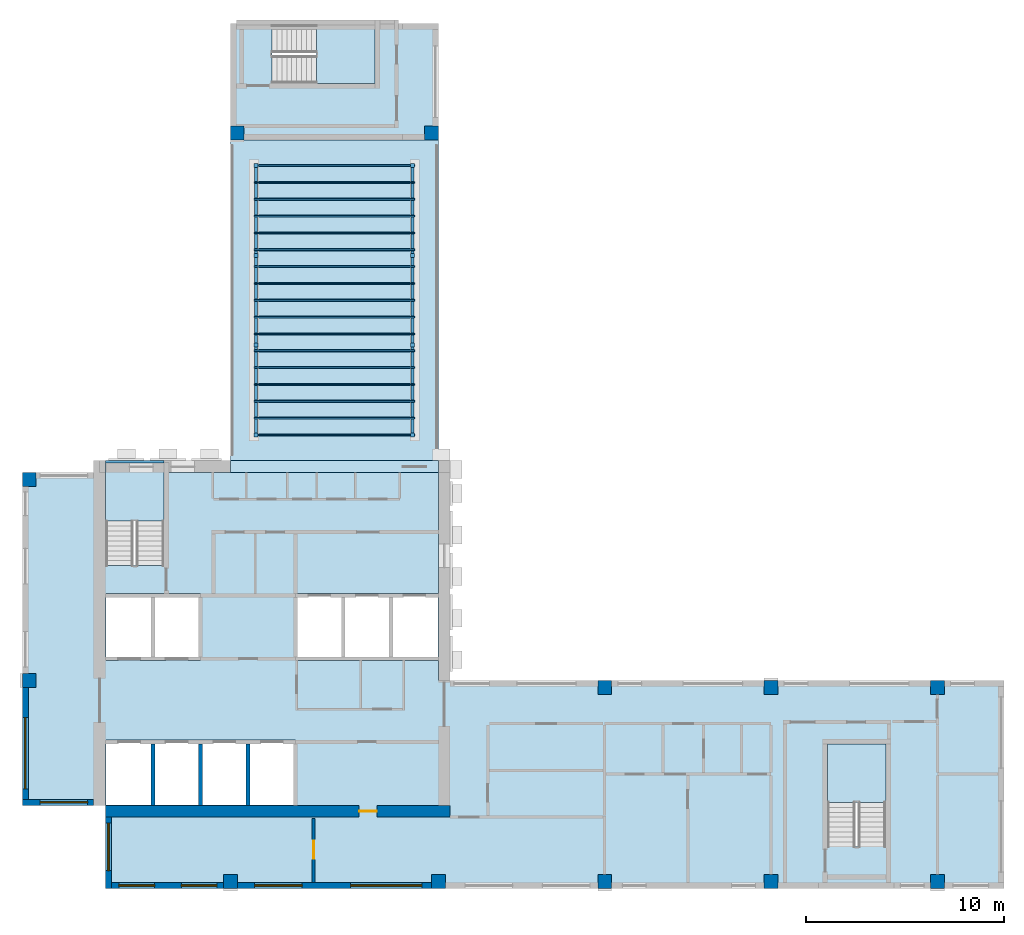
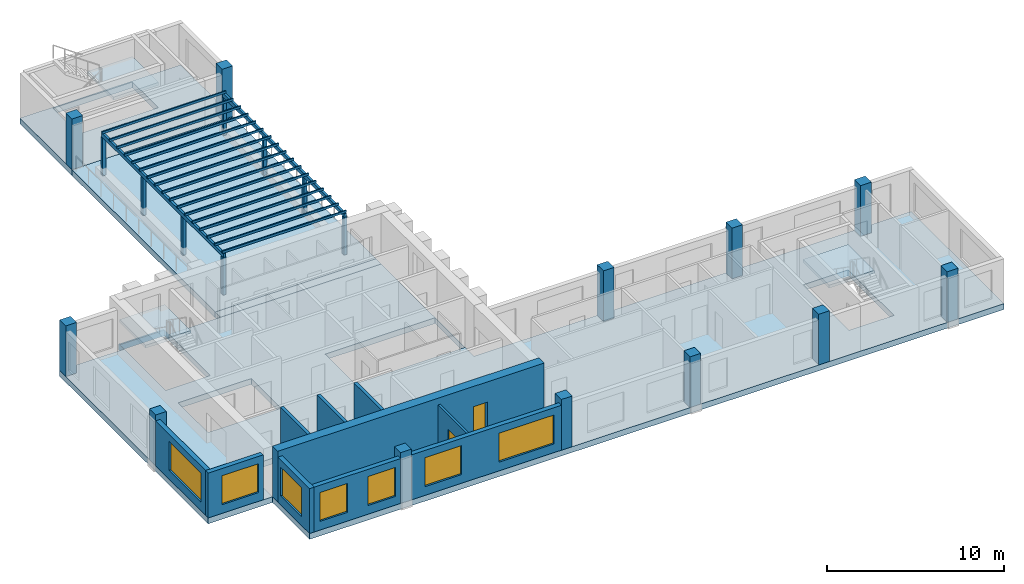
# One storey, part 1 of 9: 27 members, 12 columns, 10 walls, 8 slabs, 7 windows, 2 doors, 9 openings, 3 elements without a shape of their own.
"""IFC4 building model written with IfcOpenShell, lengths in metres."""

from ifc_helpers import new_model, si_unit, direction, frame, frame_2d, origin, origin_2d, place, context, subcontext, project, spatial, polyline, rectangle, outline, extrude, source, transform, mapped, material, layer, layer_set, material_profile, profile_set, type_object, element, fill, aggregate, save


model = new_model("IFC4")

# Units and contexts
model_context = context("Model", 3, precision=1e-05, world=origin(), true_north=direction((0.0, 1.0)))
body_context = subcontext(model_context, "Body", "Model", "MODEL_VIEW")
ifc_project = project(units=[si_unit("LENGTHUNIT", "METRE"), si_unit("AREAUNIT", "SQUARE_METRE"), si_unit("VOLUMEUNIT", "CUBIC_METRE"), si_unit("PLANEANGLEUNIT", "RADIAN"), si_unit("MASSUNIT", "GRAM", prefix="KILO")], contexts=[model_context])

# Site, building, storey
site_placement = place(None, origin())
site = spatial("IfcSite", under=ifc_project, at=site_placement, CompositionType="ELEMENT")
building_placement = place(site_placement, origin())
building = spatial("IfcBuilding", under=site, at=building_placement, Name="Aurelian Terraces", CompositionType="ELEMENT")
storey_placement = place(building_placement, frame((0.0, 0.0, 309.0)))
storey = spatial("IfcBuildingStorey", under=building, at=storey_placement, Name="L71", CompositionType="ELEMENT", Elevation=309.0)

# Columns
ifc_material_1 = material(Name="Concrete fc' 55 MPa", Category="concrete")
ifc_material_profile_1 = material_profile(ifc_material_1, rectangle(XDim=0.7, YDim=0.7, at=origin_2d()))
ifc_profile_set_1 = profile_set([ifc_material_profile_1], Name="Concrete fc' 55 MPa")
column_type = type_object("IfcColumnType", Name="RC COLUMN 700X700 FC55", PredefinedType="COLUMN", material=ifc_profile_set_1)
shared_shape_1 = source(origin(), body_context, "Body", "SweptSolid", [
    extrude(rectangle(XDim=0.7, YDim=0.7, at=origin_2d()), origin(), (0.0, 0.0, 1.0), 3.5),
])
for number, where, z_axis, x_axis, name in (
    (1, (10.5, 0.35, 0.0), (0.0, 0.0, 1.0), (1.0, 0.0, 0.0), "Column 2/A L71"),
    (2, (21.0, 0.35, 0.0), (0.0, 0.0, 1.0), (1.0, 0.0, 0.0), "Column 3/A L71"),
    (3, (29.4, 0.35, 0.0), (0.0, 0.0, 1.0), (1.0, 0.0, 0.0), "Column 4/A L71"),
    (4, (37.8, 0.35, 0.0), (0.0, 0.0, 1.0), (1.0, 0.0, 0.0), "Column 5/A L71"),
    (5, (46.2, 0.35, 0.0), (0.0, 0.0, 1.0), (1.0, 0.0, 0.0), "Column 6/A L71"),
    (6, (0.35, 10.5, 0.0), (0.0, 0.0, 1.0), (1.0, 0.0, 0.0), "Column 1/B L71"),
    (7, (29.4, 10.15, 0.0), (0.0, 0.0, 1.0), (1.0, 0.0, 0.0), "Column 4/B L71"),
    (8, (37.8, 10.15, 0.0), (0.0, 0.0, 1.0), (1.0, 0.0, 0.0), "Column 5/B L71"),
    (9, (46.2, 10.15, 0.0), (0.0, 0.0, 1.0), (1.0, 0.0, 0.0), "Column 6/B L71"),
    (10, (0.35, 20.65, 0.0), (0.0, 0.0, 1.0), (1.0, 0.0, 0.0), "Column 1/C L71"),
    (11, (10.85, 38.15, 0.0), (0.0, 0.0, 1.0), (1.0, 0.0, 0.0), "Column 2/E L71"),
    (12, (20.65, 38.15, 0.0), (0.0, 0.0, 1.0), (1.0, 0.0, 0.0), "Column 3/E L71"),
):
    element("IfcColumn", number, at=place(storey_placement, frame(where, z_axis=z_axis, x_axis=x_axis)), inside=storey, type_object=column_type, Name=name, PredefinedType="COLUMN", context=body_context, shape_type="MappedRepresentation", body=[
        mapped(shared_shape_1, transform((0.0, 0.0, 0.0), scale=1.0)),
    ])

# Members
ifc_material_2 = material(Name="Anodised aluminium", Category="aluminium")
ifc_material_profile_2 = material_profile(ifc_material_2, rectangle(XDim=0.2, YDim=0.2, at=origin_2d()))
ifc_profile_set_2 = profile_set([ifc_material_profile_2], Name="Anodised aluminium")
member_type_1 = type_object("IfcMemberType", Name="PERGOLA POST 200X200", PredefinedType="POST", material=ifc_profile_set_2)
shared_shape_2 = source(origin(), body_context, "Body", "SweptSolid", [
    extrude(rectangle(XDim=0.2, YDim=0.2, at=origin_2d()), origin(), (0.0, 0.0, 1.0), 2.6),
])
for number, where, z_axis, x_axis, name in (
    (13, (11.8, 22.9, 0.0), (0.0, 0.0, 1.0), (1.0, 0.0, 0.0), "Pergola post L71 BLADE-W-T1.1.1"),
    (14, (19.7, 22.9, 0.0), (0.0, 0.0, 1.0), (1.0, 0.0, 0.0), "Pergola post L71 BLADE-W-T1.1.2"),
    (15, (11.8, 27.4333, 0.0), (0.0, 0.0, 1.0), (1.0, 0.0, 0.0), "Pergola post L71 BLADE-W-T1.2.1"),
    (16, (19.7, 27.4333, 0.0), (0.0, 0.0, 1.0), (1.0, 0.0, 0.0), "Pergola post L71 BLADE-W-T1.2.2"),
    (17, (11.8, 31.9667, 0.0), (0.0, 0.0, 1.0), (1.0, 0.0, 0.0), "Pergola post L71 BLADE-W-T1.3.1"),
    (18, (19.7, 31.9667, 0.0), (0.0, 0.0, 1.0), (1.0, 0.0, 0.0), "Pergola post L71 BLADE-W-T1.3.2"),
    (19, (11.8, 36.5, 0.0), (0.0, 0.0, 1.0), (1.0, 0.0, 0.0), "Pergola post L71 BLADE-W-T1.4.1"),
    (20, (19.7, 36.5, 0.0), (0.0, 0.0, 1.0), (1.0, 0.0, 0.0), "Pergola post L71 BLADE-W-T1.4.2"),
):
    element("IfcMember", number, at=place(storey_placement, frame(where, z_axis=z_axis, x_axis=x_axis)), inside=storey, type_object=member_type_1, Name=name, PredefinedType="POST", context=body_context, shape_type="MappedRepresentation", body=[
        mapped(shared_shape_2, transform((0.0, 0.0, 0.0), scale=1.0)),
    ])
ifc_material_profile_3 = material_profile(ifc_material_2, rectangle(XDim=0.08, YDim=0.15, at=origin_2d()))
ifc_profile_set_3 = profile_set([ifc_material_profile_3], Name="Anodised aluminium")
member_type_2 = type_object("IfcMemberType", Name="PERGOLA RAFTER 80X150", PredefinedType="RAFTER", material=ifc_profile_set_3)
shared_shape_3 = source(origin(), body_context, "Body", "SweptSolid", [
    extrude(rectangle(XDim=0.08, YDim=0.15, at=origin_2d()), origin(), (0.0, 0.0, 1.0), 8.1),
])
for number, where, z_axis, x_axis, name in (
    (21, (11.7, 22.9, 2.925), (1.0, 0.0, 0.0), (0.0, 1.0, 0.0), "Pergola rafter L71 BLADE-W-T1.1"),
    (22, (11.7, 23.75, 2.925), (1.0, 0.0, 0.0), (0.0, 1.0, 0.0), "Pergola rafter L71 BLADE-W-T1.2"),
    (23, (11.7, 24.6, 2.925), (1.0, 0.0, 0.0), (0.0, 1.0, 0.0), "Pergola rafter L71 BLADE-W-T1.3"),
    (24, (11.7, 25.45, 2.925), (1.0, 0.0, 0.0), (0.0, 1.0, 0.0), "Pergola rafter L71 BLADE-W-T1.4"),
    (25, (11.7, 26.3, 2.925), (1.0, 0.0, 0.0), (0.0, 1.0, 0.0), "Pergola rafter L71 BLADE-W-T1.5"),
    (26, (11.7, 27.15, 2.925), (1.0, 0.0, 0.0), (0.0, 1.0, 0.0), "Pergola rafter L71 BLADE-W-T1.6"),
    (27, (11.7, 28.0, 2.925), (1.0, 0.0, 0.0), (0.0, 1.0, 0.0), "Pergola rafter L71 BLADE-W-T1.7"),
    (28, (11.7, 28.85, 2.925), (1.0, 0.0, 0.0), (0.0, 1.0, 0.0), "Pergola rafter L71 BLADE-W-T1.8"),
    (29, (11.7, 29.7, 2.925), (1.0, 0.0, 0.0), (0.0, 1.0, 0.0), "Pergola rafter L71 BLADE-W-T1.9"),
    (30, (11.7, 30.55, 2.925), (1.0, 0.0, 0.0), (0.0, 1.0, 0.0), "Pergola rafter L71 BLADE-W-T1.10"),
    (31, (11.7, 31.4, 2.925), (1.0, 0.0, 0.0), (0.0, 1.0, 0.0), "Pergola rafter L71 BLADE-W-T1.11"),
    (32, (11.7, 32.25, 2.925), (1.0, 0.0, 0.0), (0.0, 1.0, 0.0), "Pergola rafter L71 BLADE-W-T1.12"),
    (33, (11.7, 33.1, 2.925), (1.0, 0.0, 0.0), (0.0, 1.0, 0.0), "Pergola rafter L71 BLADE-W-T1.13"),
    (34, (11.7, 33.95, 2.925), (1.0, 0.0, 0.0), (0.0, 1.0, 0.0), "Pergola rafter L71 BLADE-W-T1.14"),
    (35, (11.7, 34.8, 2.925), (1.0, 0.0, 0.0), (0.0, 1.0, 0.0), "Pergola rafter L71 BLADE-W-T1.15"),
    (36, (11.7, 35.65, 2.925), (1.0, 0.0, 0.0), (0.0, 1.0, 0.0), "Pergola rafter L71 BLADE-W-T1.16"),
    (37, (11.7, 36.5, 2.925), (1.0, 0.0, 0.0), (0.0, 1.0, 0.0), "Pergola rafter L71 BLADE-W-T1.17"),
):
    element("IfcMember", number, at=place(storey_placement, frame(where, z_axis=z_axis, x_axis=x_axis)), inside=storey, type_object=member_type_2, Name=name, PredefinedType="RAFTER", context=body_context, shape_type="MappedRepresentation", body=[
        mapped(shared_shape_3, transform((0.0, 0.0, 0.0), scale=1.0)),
    ])
ifc_material_profile_4 = material_profile(ifc_material_2, rectangle(XDim=0.15, YDim=0.25, at=origin_2d()))
ifc_profile_set_4 = profile_set([ifc_material_profile_4], Name="Anodised aluminium")
member_type_3 = type_object("IfcMemberType", Name="PERGOLA BEAM 150X250", PredefinedType="PURLIN", material=ifc_profile_set_4)
shared_shape_4 = source(origin(), body_context, "Body", "SweptSolid", [
    extrude(rectangle(XDim=0.15, YDim=0.25, at=origin_2d()), origin(), (0.0, 0.0, 1.0), 13.8),
])
for number, where, z_axis, x_axis, name in (
    (38, (11.8, 22.8, 2.725), (0.0, 1.0, 0.0), (-1.0, 0.0, 0.0), "Pergola beam L71 BLADE-W-T1.1"),
    (39, (19.7, 22.8, 2.725), (0.0, 1.0, 0.0), (-1.0, 0.0, 0.0), "Pergola beam L71 BLADE-W-T1.2"),
):
    element("IfcMember", number, at=place(storey_placement, frame(where, z_axis=z_axis, x_axis=x_axis)), inside=storey, type_object=member_type_3, Name=name, PredefinedType="PURLIN", context=body_context, shape_type="MappedRepresentation", body=[
        mapped(shared_shape_4, transform((0.0, 0.0, 0.0), scale=1.0)),
    ])

# Slabs
ifc_material_3 = material(Name="Concrete fc' 40 MPa", Category="concrete")
ifc_layer_1 = layer(ifc_material_3, 0.4)
ifc_layer_set_1 = layer_set([ifc_layer_1], Name="PT FLAT PLATE 400")
slab_type_1 = type_object("IfcSlabType", Name="PT FLAT PLATE 400", PredefinedType="FLOOR", material=ifc_layer_set_1)
slab_1_placement = place(storey_placement, frame((0.0, 0.0, -0.4)))
element("IfcSlab", 40, at=slab_1_placement, inside=storey, type_object=slab_type_1, Name="Floor slab W L71", PredefinedType="FLOOR", context=body_context, shape_type="SweptSolid", body=[
    extrude(outline(polyline([(14.7, 43.68), (16.8, 43.68), (21.0, 43.68), (21.0, 37.8), (10.5, 37.8), (10.5, 43.68), (14.7, 43.68)]), holes=[polyline([(17.79, 43.59), (12.61, 43.59), (12.61, 40.66), (17.79, 40.66), (17.79, 43.59)])]), origin(), (0.0, 0.0, 1.0), 0.4),
])
slab_2_placement = place(storey_placement, frame((0.0, 0.0, -0.4)))
element("IfcSlab", 41, at=slab_2_placement, inside=storey, type_object=slab_type_1, Name="Floor slab W2 L71", PredefinedType="FLOOR", context=body_context, shape_type="SweptSolid", body=[
    extrude(outline(polyline([(21.0, 21.6), (21.0, 21.0), (10.5, 21.0), (10.5, 21.6), (21.0, 21.6)])), origin(), (0.0, 0.0, 1.0), 0.4),
])
slab_3_placement = place(storey_placement, frame((0.0, 0.0, -0.4)))
element("IfcSlab", 42, at=slab_3_placement, inside=storey, type_object=slab_type_1, Name="Floor slab W3 L71", PredefinedType="FLOOR", context=body_context, shape_type="SweptSolid", body=[
    extrude(outline(polyline([(4.2, 21.6), (7.15, 21.6), (7.15, 21.0), (7.14, 21.0), (7.14, 21.49), (4.21, 21.49), (4.21, 21.0), (4.2, 21.0), (4.2, 21.6)])), origin(), (0.0, 0.0, 1.0), 0.4),
])
ifc_layer_2 = layer(ifc_material_3, 0.4001)
ifc_layer_set_2 = layer_set([ifc_layer_2], Name="Terrace slab 400")
slab_type_2 = type_object("IfcSlabType", Name="Terrace slab 400", PredefinedType="NOTDEFINED", material=ifc_layer_set_2)
slab_4_placement = place(storey_placement, frame((0.0, 0.0, -0.4001)))
element("IfcSlab", 43, at=slab_4_placement, inside=storey, type_object=slab_type_2, Name="Sky terrace L71 BLADE-W-T1", PredefinedType="NOTDEFINED", context=body_context, shape_type="SweptSolid", body=[
    extrude(outline(polyline([(10.5, 21.6), (10.5, 37.8), (21.0, 37.8), (21.0, 21.6), (10.5, 21.6)])), origin(), (0.0, 0.0, 1.0), 0.4001),
])
shared_shape_5 = source(origin(), body_context, "Body", "SweptSolid", [
    extrude(outline(polyline([(21.0, 0.0), (4.2, 0.0), (4.2, 4.2), (0.0, 4.2), (0.0, 10.5), (0.0, 21.0), (4.21, 21.0), (4.21, 16.31), (7.14, 16.31), (7.14, 21.0), (21.0, 21.0), (21.0, 10.5), (49.56, 10.5), (49.56, 6.3), (49.56, 4.2), (49.56, 0.0), (21.0, 0.0)]), holes=[polyline([(40.66, 2.11), (43.59, 2.11), (43.59, 7.29), (40.66, 7.29), (40.66, 2.11)]), polyline([(13.81, 14.89), (13.81, 11.51), (20.99, 11.51), (20.99, 14.89), (13.81, 14.89)]), polyline([(4.21, 7.49), (4.21, 4.21), (13.79, 4.21), (13.79, 7.49), (4.21, 7.49)]), polyline([(8.99, 11.51), (8.99, 14.89), (4.21, 14.89), (4.21, 11.51), (8.99, 11.51)])]), origin(), (0.0, 0.0, 1.0), 0.4),
])
slab_5_placement = place(storey_placement, frame((0.0, 0.0, -0.4)))
element("IfcSlab", 44, at=slab_5_placement, inside=storey, type_object=slab_type_1, Name="Floor slab S L71", PredefinedType="FLOOR", context=body_context, shape_type="MappedRepresentation", body=[
    mapped(shared_shape_5, transform((0.0, 0.0, 0.0), scale=1.0)),
])

# Stair, slab
stair_type = type_object("IfcStairType", Name="Stair 1400", PredefinedType="HALF_TURN_STAIR", material=ifc_material_3)
stair_1_placement = place(storey_placement, origin())
stair_1 = element("IfcStair", 45, at=stair_1_placement, inside=storey, type_object=stair_type, Name="L71 S1", PredefinedType="HALF_TURN_STAIR")
ifc_layer_3 = layer(ifc_material_3, 0.2)
ifc_layer_set_3 = layer_set([ifc_layer_3], Name="Stair landing 200")
slab_type_3 = type_object("IfcSlabType", Name="Stair landing 200", PredefinedType="LANDING", material=ifc_layer_set_3)
shared_shape_6 = source(origin(), body_context, "Body", "SweptSolid", [
    extrude(outline(polyline([(7.15, 18.55), (7.15, 21.5), (4.2, 21.5), (4.2, 18.55), (7.15, 18.55)])), origin(), (0.0, 0.0, 1.0), 0.2),
])
slab_6_placement = place(storey_placement, frame((0.0, 0.0, 1.55)))
slab_6 = element("IfcSlab", 46, at=slab_6_placement, type_object=slab_type_3, Name="S1 landing 1", PredefinedType="LANDING", context=body_context, shape_type="MappedRepresentation", body=[
    mapped(shared_shape_6, transform((0.0, 0.0, 0.0), scale=1.0)),
])
aggregate(stair_1, [slab_6])

stair_2_placement = place(storey_placement, origin())
stair_2 = element("IfcStair", 47, at=stair_2_placement, inside=storey, type_object=stair_type, Name="L71 S2", PredefinedType="HALF_TURN_STAIR")
shared_shape_7 = source(origin(), body_context, "Body", "SweptSolid", [
    extrude(outline(polyline([(43.6, 4.35), (43.6, 7.3), (40.65, 7.3), (40.65, 4.35), (43.6, 4.35)])), origin(), (0.0, 0.0, 1.0), 0.2),
])
slab_7_placement = place(storey_placement, frame((0.0, 0.0, 1.55)))
slab_7 = element("IfcSlab", 48, at=slab_7_placement, type_object=slab_type_3, Name="S2 landing 1", PredefinedType="LANDING", context=body_context, shape_type="MappedRepresentation", body=[
    mapped(shared_shape_7, transform((0.0, 0.0, 0.0), scale=1.0)),
])
aggregate(stair_2, [slab_7])

stair_3_placement = place(storey_placement, origin())
stair_3 = element("IfcStair", 49, at=stair_3_placement, inside=storey, type_object=stair_type, Name="L71 S3U", PredefinedType="HALF_TURN_STAIR")
shared_shape_8 = source(origin(), body_context, "Body", "SweptSolid", [
    extrude(outline(polyline([(14.85, 40.65), (17.8, 40.65), (17.8, 43.6), (14.85, 43.6), (14.85, 40.65)])), origin(), (0.0, 0.0, 1.0), 0.2),
])
slab_8_placement = place(storey_placement, frame((0.0, 0.0, 1.55)))
slab_8 = element("IfcSlab", 50, at=slab_8_placement, type_object=slab_type_3, Name="S3U landing 1", PredefinedType="LANDING", context=body_context, shape_type="MappedRepresentation", body=[
    mapped(shared_shape_8, transform((0.0, 0.0, 0.0), scale=1.0)),
])
aggregate(stair_3, [slab_8])

# Wall, opening, door
ifc_layer_4 = layer(ifc_material_1, 0.6)
ifc_layer_set_4 = layer_set([ifc_layer_4], Name="CORE WALL 600 FC55")
wall_type_1 = type_object("IfcWallType", Name="CORE WALL 600 FC55", PredefinedType="SHEAR", material=ifc_layer_set_4)
shared_shape_9 = source(origin(), body_context, "Body", "SweptSolid", [
    extrude(rectangle(XDim=17.4, YDim=0.6, at=frame_2d((8.7, 0.0))), origin(), (0.0, 0.0, 1.0), 3.5),
])
wall_1_placement = place(storey_placement, frame((4.2, 3.9, 0.0), z_axis=(0.0, 0.0, 1.0), x_axis=(1.0, 0.0, 0.0)))
wall_1 = element("IfcWall", 51, at=wall_1_placement, inside=storey, type_object=wall_type_1, Name="Core wall S L71", PredefinedType="SHEAR", context=body_context, shape_type="MappedRepresentation", body=[
    mapped(shared_shape_9, transform((0.0, 0.0, 0.0), scale=1.0)),
])
shared_shape_10 = source(origin(), body_context, "Body", "SweptSolid", [
    extrude(rectangle(XDim=0.9, YDim=2.1, at=frame_2d((0.45, 1.05))), frame((0.0, 0.31, 0.0), z_axis=(0.0, -1.0, 0.0), x_axis=(1.0, 0.0, 0.0)), (0.0, 0.0, 1.0), 0.62),
])
opening_1_placement = place(wall_1_placement, frame((12.8, 0.0, 0.0)))
opening_1 = element("IfcOpeningElement", 52, at=opening_1_placement, cuts=wall_1, Name="Opening 67431", PredefinedType="OPENING", context=body_context, shape_type="MappedRepresentation", body=[
    mapped(shared_shape_10, transform((0.0, 0.0, 0.0), scale=1.0)),
])
ifc_material_4 = material(Name="Steel door leaf", Category="steel")
door_type_1 = type_object("IfcDoorType", Name="Core service door 900x2100 right", OperationType="SINGLE_SWING_RIGHT", PredefinedType="DOOR", material=ifc_material_4)
shared_shape_11 = source(origin(), body_context, "Body", "SweptSolid", [
    extrude(rectangle(XDim=0.9, YDim=2.1, at=frame_2d((0.45, 1.05))), frame((0.0, 0.025, 0.0), z_axis=(0.0, -1.0, 0.0), x_axis=(1.0, 0.0, 0.0)), (0.0, 0.0, 1.0), 0.05),
])
door_1_placement = place(opening_1_placement, origin())
door_1 = element("IfcDoor", 53, at=door_1_placement, inside=storey, type_object=door_type_1, Name="Core door 67431", OperationType="SINGLE_SWING_RIGHT", OverallHeight=2.1, OverallWidth=0.9, PredefinedType="DOOR", context=body_context, shape_type="MappedRepresentation", body=[
    mapped(shared_shape_11, transform((0.0, 0.0, 0.0), scale=1.0)),
])
fill(opening_1, door_1)

# Wall, opening, window
ifc_material_5 = material(Name="Terracotta rainscreen cladding", Category="masonry")
ifc_layer_5 = layer(ifc_material_5, 0.3)
ifc_layer_set_5 = layer_set([ifc_layer_5], Name="EW-300")
wall_type_2 = type_object("IfcWallType", Name="EW-300", PredefinedType="STANDARD", material=ifc_layer_set_5)
shared_shape_12 = source(origin(), body_context, "Body", "SweptSolid", [
    extrude(rectangle(XDim=3.6, YDim=0.3, at=frame_2d((1.8, 0.0))), origin(), (0.0, 0.0, 1.0), 3.1),
])
wall_2_placement = place(storey_placement, frame((0.0, 4.35, 0.0), z_axis=(0.0, 0.0, 1.0), x_axis=(1.0, 0.0, 0.0)))
wall_2 = element("IfcWall", 54, at=wall_2_placement, inside=storey, type_object=wall_type_2, Name="External wall L71 F13.19", PredefinedType="STANDARD", context=body_context, shape_type="MappedRepresentation", body=[
    mapped(shared_shape_12, transform((0.0, 0.0, 0.0), scale=1.0)),
])
shared_shape_13 = source(origin(), body_context, "Body", "SweptSolid", [
    extrude(rectangle(XDim=2.4, YDim=2.0, at=frame_2d((1.2, 1.0))), frame((0.0, 0.16, 0.0), z_axis=(0.0, -1.0, 0.0), x_axis=(1.0, 0.0, 0.0)), (0.0, 0.0, 1.0), 0.32),
])
opening_2_placement = place(wall_2_placement, frame((0.9, 0.0, 0.6)))
opening_2 = element("IfcOpeningElement", 55, at=opening_2_placement, cuts=wall_2, Name="Opening W2420", PredefinedType="OPENING", context=body_context, shape_type="MappedRepresentation", body=[
    mapped(shared_shape_13, transform((0.0, 0.0, 0.0), scale=1.0)),
])
ifc_material_6 = material(Name="Clear glazing", Category="glass")
window_type_1 = type_object("IfcWindowType", Name="W-2400x2000", PartitioningType="SINGLE_PANEL", PredefinedType="WINDOW", material=ifc_material_6)
shared_shape_14 = source(origin(), body_context, "Body", "SweptSolid", [
    extrude(rectangle(XDim=2.4, YDim=2.0, at=frame_2d((1.2, 1.0))), frame((0.0, 0.03, 0.0), z_axis=(0.0, -1.0, 0.0), x_axis=(1.0, 0.0, 0.0)), (0.0, 0.0, 1.0), 0.06),
])
window_1_placement = place(opening_2_placement, origin())
window_1 = element("IfcWindow", 56, at=window_1_placement, inside=storey, type_object=window_type_1, Name="Window L71 L71-F13-19-0", OverallHeight=2.0, OverallWidth=2.4, PartitioningType="SINGLE_PANEL", PredefinedType="WINDOW", context=body_context, shape_type="MappedRepresentation", body=[
    mapped(shared_shape_14, transform((0.0, 0.0, 0.0), scale=1.0)),
])
fill(opening_2, window_1)

wall_3_placement = place(storey_placement, frame((4.35, 3.6, 0.0), z_axis=(0.0, 0.0, 1.0), x_axis=(0.0, -1.0, 0.0)))
wall_3 = element("IfcWall", 57, at=wall_3_placement, inside=storey, type_object=wall_type_2, Name="External wall L71 F14.20", PredefinedType="STANDARD", context=body_context, shape_type="MappedRepresentation", body=[
    mapped(shared_shape_12, transform((0.0, 0.0, 0.0), scale=1.0)),
])
opening_3_placement = place(wall_3_placement, frame((0.3, 0.0, 0.6)))
opening_3 = element("IfcOpeningElement", 58, at=opening_3_placement, cuts=wall_3, Name="Opening W2420", PredefinedType="OPENING", context=body_context, shape_type="MappedRepresentation", body=[
    mapped(shared_shape_13, transform((0.0, 0.0, 0.0), scale=1.0)),
])
window_2_placement = place(opening_3_placement, origin())
window_2 = element("IfcWindow", 59, at=window_2_placement, inside=storey, type_object=window_type_1, Name="Window L71 L71-F14-20-0", OverallHeight=2.0, OverallWidth=2.4, PartitioningType="SINGLE_PANEL", PredefinedType="WINDOW", context=body_context, shape_type="MappedRepresentation", body=[
    mapped(shared_shape_14, transform((0.0, 0.0, 0.0), scale=1.0)),
])
fill(opening_3, window_2)

# Wall, openings, windows
shared_shape_15 = source(origin(), body_context, "Body", "SweptSolid", [
    extrude(rectangle(XDim=9.8, YDim=0.3, at=frame_2d((4.9, 0.0))), origin(), (0.0, 0.0, 1.0), 3.1),
])
wall_4_placement = place(storey_placement, frame((10.85, 0.15, 0.0), z_axis=(0.0, 0.0, 1.0), x_axis=(1.0, 0.0, 0.0)))
wall_4 = element("IfcWall", 60, at=wall_4_placement, inside=storey, type_object=wall_type_2, Name="External wall L71 F01.2", PredefinedType="STANDARD", context=body_context, shape_type="MappedRepresentation", body=[
    mapped(shared_shape_15, transform((0.0, 0.0, 0.0), scale=1.0)),
])
opening_4_placement = place(wall_4_placement, frame((0.875, 0.0, 0.6)))
opening_4 = element("IfcOpeningElement", 61, at=opening_4_placement, cuts=wall_4, Name="Opening W2420", PredefinedType="OPENING", context=body_context, shape_type="MappedRepresentation", body=[
    mapped(shared_shape_13, transform((0.0, 0.0, 0.0), scale=1.0)),
])
shared_shape_16 = source(origin(), body_context, "Body", "SweptSolid", [
    extrude(rectangle(XDim=3.6, YDim=2.0, at=frame_2d((1.8, 1.0))), frame((0.0, 0.16, 0.0), z_axis=(0.0, -1.0, 0.0), x_axis=(1.0, 0.0, 0.0)), (0.0, 0.0, 1.0), 0.32),
])
opening_5_placement = place(wall_4_placement, frame((5.725, 0.0, 0.6)))
opening_5 = element("IfcOpeningElement", 62, at=opening_5_placement, cuts=wall_4, Name="Opening W3620", PredefinedType="OPENING", context=body_context, shape_type="MappedRepresentation", body=[
    mapped(shared_shape_16, transform((0.0, 0.0, 0.0), scale=1.0)),
])
window_3_placement = place(opening_4_placement, origin())
window_3 = element("IfcWindow", 63, at=window_3_placement, inside=storey, type_object=window_type_1, Name="Window L71 L71-F01-02-0", OverallHeight=2.0, OverallWidth=2.4, PartitioningType="SINGLE_PANEL", PredefinedType="WINDOW", context=body_context, shape_type="MappedRepresentation", body=[
    mapped(shared_shape_14, transform((0.0, 0.0, 0.0), scale=1.0)),
])
fill(opening_4, window_3)
window_type_2 = type_object("IfcWindowType", Name="W-3600x2000", PartitioningType="SINGLE_PANEL", PredefinedType="WINDOW", material=ifc_material_6)
shared_shape_17 = source(origin(), body_context, "Body", "SweptSolid", [
    extrude(rectangle(XDim=3.6, YDim=2.0, at=frame_2d((1.8, 1.0))), frame((0.0, 0.03, 0.0), z_axis=(0.0, -1.0, 0.0), x_axis=(1.0, 0.0, 0.0)), (0.0, 0.0, 1.0), 0.06),
])
window_4_placement = place(opening_5_placement, origin())
window_4 = element("IfcWindow", 64, at=window_4_placement, inside=storey, type_object=window_type_2, Name="Window L71 L71-F01-02-1", OverallHeight=2.0, OverallWidth=3.6, PartitioningType="SINGLE_PANEL", PredefinedType="WINDOW", context=body_context, shape_type="MappedRepresentation", body=[
    mapped(shared_shape_17, transform((0.0, 0.0, 0.0), scale=1.0)),
])
fill(opening_5, window_4)

shared_shape_18 = source(origin(), body_context, "Body", "SweptSolid", [
    extrude(rectangle(XDim=5.95, YDim=0.3, at=frame_2d((2.975, 0.0))), origin(), (0.0, 0.0, 1.0), 3.1),
])
wall_5_placement = place(storey_placement, frame((4.2, 0.15, 0.0), z_axis=(0.0, 0.0, 1.0), x_axis=(1.0, 0.0, 0.0)))
wall_5 = element("IfcWall", 65, at=wall_5_placement, inside=storey, type_object=wall_type_2, Name="External wall L71 F01.1", PredefinedType="STANDARD", context=body_context, shape_type="MappedRepresentation", body=[
    mapped(shared_shape_18, transform((0.0, 0.0, 0.0), scale=1.0)),
])
shared_shape_19 = source(origin(), body_context, "Body", "SweptSolid", [
    extrude(rectangle(XDim=1.8, YDim=2.0, at=frame_2d((0.9, 1.0))), frame((0.0, 0.16, 0.0), z_axis=(0.0, -1.0, 0.0), x_axis=(1.0, 0.0, 0.0)), (0.0, 0.0, 1.0), 0.32),
])
opening_6_placement = place(wall_5_placement, frame((0.675, 0.0, 0.6)))
opening_6 = element("IfcOpeningElement", 66, at=opening_6_placement, cuts=wall_5, Name="Opening W1820", PredefinedType="OPENING", context=body_context, shape_type="MappedRepresentation", body=[
    mapped(shared_shape_19, transform((0.0, 0.0, 0.0), scale=1.0)),
])
opening_7_placement = place(wall_5_placement, frame((3.825, 0.0, 0.6)))
opening_7 = element("IfcOpeningElement", 67, at=opening_7_placement, cuts=wall_5, Name="Opening W1820", PredefinedType="OPENING", context=body_context, shape_type="MappedRepresentation", body=[
    mapped(shared_shape_19, transform((0.0, 0.0, 0.0), scale=1.0)),
])
window_type_3 = type_object("IfcWindowType", Name="W-1800x2000", PartitioningType="SINGLE_PANEL", PredefinedType="WINDOW", material=ifc_material_6)
shared_shape_20 = source(origin(), body_context, "Body", "SweptSolid", [
    extrude(rectangle(XDim=1.8, YDim=2.0, at=frame_2d((0.9, 1.0))), frame((0.0, 0.03, 0.0), z_axis=(0.0, -1.0, 0.0), x_axis=(1.0, 0.0, 0.0)), (0.0, 0.0, 1.0), 0.06),
])
window_5_placement = place(opening_6_placement, origin())
window_5 = element("IfcWindow", 68, at=window_5_placement, inside=storey, type_object=window_type_3, Name="Window L71 L71-F01-01-0", OverallHeight=2.0, OverallWidth=1.8, PartitioningType="SINGLE_PANEL", PredefinedType="WINDOW", context=body_context, shape_type="MappedRepresentation", body=[
    mapped(shared_shape_20, transform((0.0, 0.0, 0.0), scale=1.0)),
])
fill(opening_6, window_5)
window_6_placement = place(opening_7_placement, origin())
window_6 = element("IfcWindow", 69, at=window_6_placement, inside=storey, type_object=window_type_3, Name="Window L71 L71-F01-01-1", OverallHeight=2.0, OverallWidth=1.8, PartitioningType="SINGLE_PANEL", PredefinedType="WINDOW", context=body_context, shape_type="MappedRepresentation", body=[
    mapped(shared_shape_20, transform((0.0, 0.0, 0.0), scale=1.0)),
])
fill(opening_7, window_6)

# Wall, opening, window
wall_6_placement = place(storey_placement, frame((0.15, 10.15, 0.0), z_axis=(0.0, 0.0, 1.0), x_axis=(0.0, -1.0, 0.0)))
wall_6 = element("IfcWall", 70, at=wall_6_placement, inside=storey, type_object=wall_type_2, Name="External wall L71 F12.18", PredefinedType="STANDARD", context=body_context, shape_type="MappedRepresentation", body=[
    mapped(shared_shape_18, transform((0.0, 0.0, 0.0), scale=1.0)),
])
opening_8_placement = place(wall_6_placement, frame((1.525, 0.0, 0.6)))
opening_8 = element("IfcOpeningElement", 71, at=opening_8_placement, cuts=wall_6, Name="Opening W3620", PredefinedType="OPENING", context=body_context, shape_type="MappedRepresentation", body=[
    mapped(shared_shape_16, transform((0.0, 0.0, 0.0), scale=1.0)),
])
window_7_placement = place(opening_8_placement, origin())
window_7 = element("IfcWindow", 72, at=window_7_placement, inside=storey, type_object=window_type_2, Name="Window L71 L71-F12-18-3", OverallHeight=2.0, OverallWidth=3.6, PartitioningType="SINGLE_PANEL", PredefinedType="WINDOW", context=body_context, shape_type="MappedRepresentation", body=[
    mapped(shared_shape_17, transform((0.0, 0.0, 0.0), scale=1.0)),
])
fill(opening_8, window_7)

# Walls
ifc_layer_6 = layer(ifc_material_3, 0.2)
ifc_layer_set_6 = layer_set([ifc_layer_6], Name="Lift shaft wall 200")
wall_type_3 = type_object("IfcWallType", Name="Lift shaft wall 200", PredefinedType="SOLIDWALL", material=ifc_layer_set_6)
shared_shape_21 = source(origin(), body_context, "Body", "SweptSolid", [
    extrude(rectangle(XDim=3.1, YDim=0.2, at=frame_2d((1.55, 0.0))), origin(), (0.0, 0.0, 1.0), 3.5),
])
for number, where, z_axis, x_axis, name in (
    (73, (6.6, 4.2, 0.0), (0.0, 0.0, 1.0), (0.0, 1.0, 0.0), "L71 core wall CD-A1"),
    (74, (9.0, 4.2, 0.0), (0.0, 0.0, 1.0), (0.0, 1.0, 0.0), "L71 core wall CD-A2"),
    (75, (11.4, 4.2, 0.0), (0.0, 0.0, 1.0), (0.0, 1.0, 0.0), "L71 core wall CD-A3"),
):
    element("IfcWall", number, at=place(storey_placement, frame(where, z_axis=z_axis, x_axis=x_axis)), inside=storey, type_object=wall_type_3, Name=name, PredefinedType="SOLIDWALL", context=body_context, shape_type="MappedRepresentation", body=[
        mapped(shared_shape_21, transform((0.0, 0.0, 0.0), scale=1.0)),
    ])

# Wall, opening, door
ifc_material_7 = material(Name="Gypsum board on steel studs", Category="steel")
ifc_layer_7 = layer(ifc_material_7, 0.15)
ifc_layer_set_7 = layer_set([ifc_layer_7], Name="Partition 150")
wall_type_4 = type_object("IfcWallType", Name="Partition 150", PredefinedType="PARTITIONING", material=ifc_layer_set_7)
shared_shape_22 = source(origin(), body_context, "Body", "SweptSolid", [
    extrude(rectangle(XDim=3.225, YDim=0.15, at=frame_2d((1.6125, 0.0))), origin(), (0.0, 0.0, 1.0), 3.1),
])
wall_7_placement = place(storey_placement, frame((14.7, 3.525, 0.0), z_axis=(0.0, 0.0, 1.0), x_axis=(0.0, -1.0, 0.0)))
wall_7 = element("IfcWall", 76, at=wall_7_placement, inside=storey, type_object=wall_type_4, Name="Partition", PredefinedType="PARTITIONING", context=body_context, shape_type="MappedRepresentation", body=[
    mapped(shared_shape_22, transform((0.0, 0.0, 0.0), scale=1.0)),
])
shared_shape_23 = source(origin(), body_context, "Body", "SweptSolid", [
    extrude(rectangle(XDim=0.9, YDim=2.1, at=frame_2d((0.45, 1.05))), frame((0.0, 0.085, 0.0), z_axis=(0.0, -1.0, 0.0), x_axis=(1.0, 0.0, 0.0)), (0.0, 0.0, 1.0), 0.17),
])
opening_9_placement = place(wall_7_placement, frame((1.125, 0.0, 0.0)))
opening_9 = element("IfcOpeningElement", 77, at=opening_9_placement, cuts=wall_7, Name="Opening 771003", PredefinedType="OPENING", context=body_context, shape_type="MappedRepresentation", body=[
    mapped(shared_shape_23, transform((0.0, 0.0, 0.0), scale=1.0)),
])
ifc_material_8 = material(Name="Timber door leaf", Category="wood")
door_type_2 = type_object("IfcDoorType", Name="Room door 900x2100 left", OperationType="SINGLE_SWING_LEFT", PredefinedType="DOOR", material=ifc_material_8)
door_2_placement = place(opening_9_placement, origin())
door_2 = element("IfcDoor", 78, at=door_2_placement, inside=storey, type_object=door_type_2, Name="Door 771003", OperationType="SINGLE_SWING_LEFT", OverallHeight=2.1, OverallWidth=0.9, PredefinedType="DOOR", context=body_context, shape_type="MappedRepresentation", body=[
    mapped(shared_shape_11, transform((0.0, 0.0, 0.0), scale=1.0)),
])
fill(opening_9, door_2)

save(model, "model.ifc")
